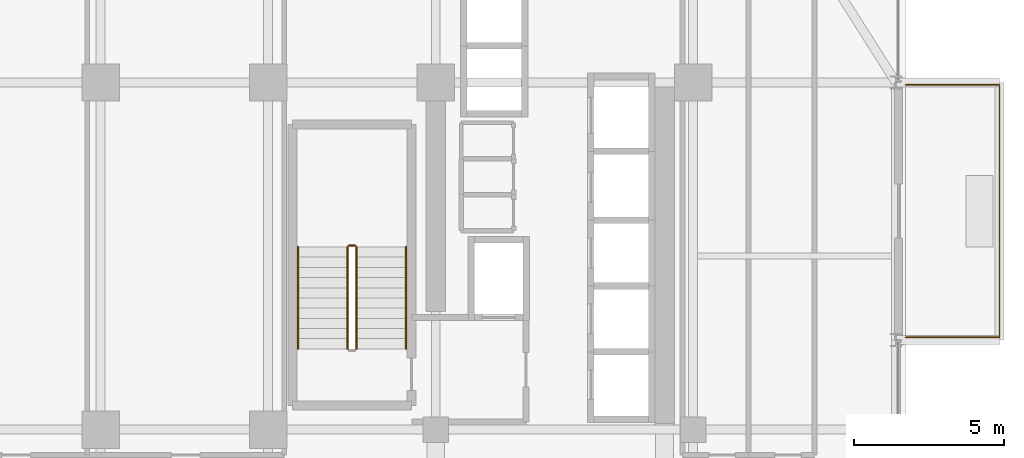
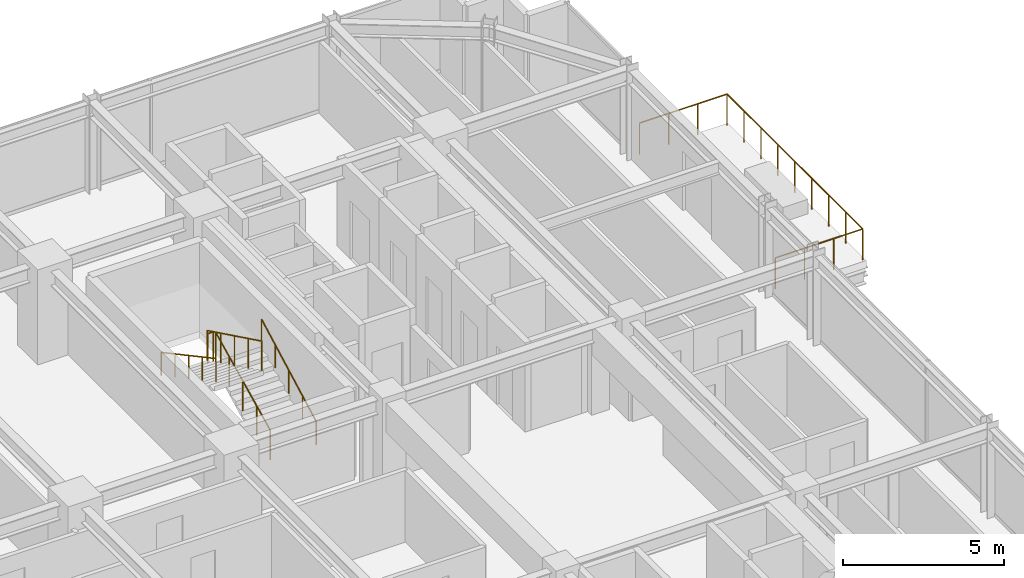
# One storey, part 32 of 33: 6 railings.
"""IFC4 building model written with IfcOpenShell, lengths in metres."""

from ifc_helpers import new_model, si_unit, direction, frame, origin, origin_2d, place, context, subcontext, project, spatial, circle, extrude, material, type_object, element, save


model = new_model("IFC4")

# Units and contexts
model_context = context("Model", 3, precision=1e-05, world=origin(), true_north=direction((0.0, 1.0)))
body_context = subcontext(model_context, "Body", "Model", "MODEL_VIEW")
ifc_project = project(units=[si_unit("LENGTHUNIT", "METRE"), si_unit("AREAUNIT", "SQUARE_METRE"), si_unit("VOLUMEUNIT", "CUBIC_METRE"), si_unit("PLANEANGLEUNIT", "RADIAN"), si_unit("MASSUNIT", "GRAM", prefix="KILO")], contexts=[model_context])

# Site, building, storey
site_placement = place(None, origin())
site = spatial("IfcSite", under=ifc_project, at=site_placement, CompositionType="ELEMENT")
building_placement = place(site_placement, origin())
building = spatial("IfcBuilding", under=site, at=building_placement, Name="Nahalor Promenade Grand Hotel", CompositionType="ELEMENT")
storey_placement = place(building_placement, frame((0.0, 0.0, 132.10009765625)))
storey = spatial("IfcBuildingStorey", under=building, at=storey_placement, Name="L33", CompositionType="ELEMENT", Elevation=132.10009765625)

# Railings
ifc_material_1 = material(Name="Anodised Bronze Aluminium EN AW-6063 T6", Category="aluminium")
railing_type_1 = type_object("IfcRailingType", Name="Bronze Balcony Guardrail 1200 mm", PredefinedType="GUARDRAIL", material=ifc_material_1)
railing_1_placement = place(storey_placement, frame((24.10009765625, 8.47998046875, 0.0)))
element("IfcRailing", 1, at=railing_1_placement, inside=storey, type_object=railing_type_1, Name="L33 Balcony Guardrail 2", PredefinedType="GUARDRAIL", context=body_context, shape_type="SweptSolid", body=[
    extrude(circle(Radius=0.024048, at=origin_2d()), frame((0.0, 0.0, 1.17578125), z_axis=(1.0, 0.0, 0.0), x_axis=(0.0, 1.0, 0.0)), (0.0, 0.0, 1.0), 3.137939453125),
    extrude(circle(Radius=0.024048, at=origin_2d()), frame((3.139892578125, 0.001953125, 1.17578125), z_axis=(0.0, 1.0, 0.0), x_axis=(-1.0, 0.0, 0.0)), (0.0, 0.0, 1.0), 8.43603515625),
    extrude(circle(Radius=0.024048, at=origin_2d()), frame((3.137939453125, 8.43994140625, 1.17578125), z_axis=(-1.0, 0.0, 0.0), x_axis=(0.0, -1.0, 0.0)), (0.0, 0.0, 1.0), 3.137939453125),
    extrude(circle(Radius=0.020996, at=origin_2d()), origin(), (0.0, 0.0, 1.0), 1.14990234375),
    extrude(circle(Radius=0.020996, at=origin_2d()), frame((1.046630859375, 0.0, 0.0)), (0.0, 0.0, 1.0), 1.14990234375),
    extrude(circle(Radius=0.020996, at=origin_2d()), frame((2.09326171875, 0.0, 0.0)), (0.0, 0.0, 1.0), 1.14990234375),
    extrude(circle(Radius=0.020996, at=origin_2d()), frame((3.139892578125, 0.0, 0.0)), (0.0, 0.0, 1.0), 1.14990234375),
    extrude(circle(Radius=0.020996, at=origin_2d()), frame((3.139892578125, 1.054931640625, 0.0)), (0.0, 0.0, 1.0), 1.14990234375),
    extrude(circle(Radius=0.020996, at=origin_2d()), frame((3.139892578125, 2.10986328125, 0.0)), (0.0, 0.0, 1.0), 1.14990234375),
    extrude(circle(Radius=0.020996, at=origin_2d()), frame((3.139892578125, 3.1650390625, 0.0)), (0.0, 0.0, 1.0), 1.14990234375),
    extrude(circle(Radius=0.020996, at=origin_2d()), frame((3.139892578125, 4.219970703125, 0.0)), (0.0, 0.0, 1.0), 1.14990234375),
    extrude(circle(Radius=0.020996, at=origin_2d()), frame((3.139892578125, 5.27490234375, 0.0)), (0.0, 0.0, 1.0), 1.14990234375),
    extrude(circle(Radius=0.020996, at=origin_2d()), frame((3.139892578125, 6.330078125, 0.0)), (0.0, 0.0, 1.0), 1.14990234375),
    extrude(circle(Radius=0.020996, at=origin_2d()), frame((3.139892578125, 7.385009765625, 0.0)), (0.0, 0.0, 1.0), 1.14990234375),
    extrude(circle(Radius=0.020996, at=origin_2d()), frame((3.139892578125, 8.43994140625, 0.0)), (0.0, 0.0, 1.0), 1.14990234375),
    extrude(circle(Radius=0.020996, at=origin_2d()), frame((2.09326171875, 8.43994140625, 0.0)), (0.0, 0.0, 1.0), 1.14990234375),
    extrude(circle(Radius=0.020996, at=origin_2d()), frame((1.046630859375, 8.43994140625, 0.0)), (0.0, 0.0, 1.0), 1.14990234375),
    extrude(circle(Radius=0.020996, at=origin_2d()), frame((0.0, 8.43994140625, 0.0)), (0.0, 0.0, 1.0), 1.14990234375),
])
ifc_material_2 = material(Name="Steel S355JR", Category="steel")
railing_type_2 = type_object("IfcRailingType", Name="Steel Stair Guardrail 1150 mm", PredefinedType="GUARDRAIL", material=ifc_material_2)
railing_2_placement = place(storey_placement, frame((5.75, 8.10009765625, 0.165771484375)))
element("IfcRailing", 2, at=railing_2_placement, inside=storey, type_object=railing_type_2, Name="L33 ST1 stair guard 1", PredefinedType="GUARDRAIL", context=body_context, shape_type="SweptSolid", body=[
    extrude(circle(Radius=0.024048, at=origin_2d()), frame((0.0, 0.0, 1.1259765625), z_axis=(0.0, 0.898696488221, 0.438571114028), x_axis=(-1.0, 0.0, 0.0)), (0.0, 0.0, 1.0), 3.783203125),
    extrude(circle(Radius=0.020996, at=origin_2d()), origin(), (0.0, 0.0, 1.0), 1.099853515625),
    extrude(circle(Radius=0.020996, at=origin_2d()), frame((0.0, 0.85009765625, 0.414794921875)), (0.0, 0.0, 1.0), 1.099853515625),
    extrude(circle(Radius=0.020996, at=origin_2d()), frame((0.0, 1.699951171875, 0.82958984375)), (0.0, 0.0, 1.0), 1.099853515625),
    extrude(circle(Radius=0.020996, at=origin_2d()), frame((0.0, 2.5498046875, 1.244384765625)), (0.0, 0.0, 1.0), 1.099853515625),
    extrude(circle(Radius=0.020996, at=origin_2d()), frame((0.0, 3.39990234375, 1.6591796875)), (0.0, 0.0, 1.0), 1.099853515625),
])
railing_3_placement = place(storey_placement, frame((5.699951171875, 11.550048828125, 1.824951171875)))
element("IfcRailing", 3, at=railing_3_placement, inside=storey, type_object=railing_type_2, Name="L33 ST1 stair guard 2", PredefinedType="GUARDRAIL", context=body_context, shape_type="SweptSolid", body=[
    extrude(circle(Radius=0.024048, at=origin_2d()), frame((0.0, 0.0, 1.1259765625), z_axis=(-1.0, 0.0, 0.0), x_axis=(0.0, -1.0, 0.0)), (0.0, 0.0, 1.0), 0.199951171875),
    extrude(circle(Radius=0.020996, at=origin_2d()), origin(), (0.0, 0.0, 1.0), 1.099853515625),
    extrude(circle(Radius=0.020996, at=origin_2d()), frame((-0.199951171875, 0.0, 0.0)), (0.0, 0.0, 1.0), 1.099853515625),
])
railing_4_placement = place(storey_placement, frame((5.449951171875, 11.5, 1.99072265625)))
element("IfcRailing", 4, at=railing_4_placement, inside=storey, type_object=railing_type_2, Name="L33 ST1 stair guard 3", PredefinedType="GUARDRAIL", context=body_context, shape_type="SweptSolid", body=[
    extrude(circle(Radius=0.024048, at=origin_2d()), frame((0.0, 0.0, 1.1259765625), z_axis=(0.0, -0.898696488221, 0.438571114028), x_axis=(1.0, 0.0, 0.0)), (0.0, 0.0, 1.0), 3.783203125),
    extrude(circle(Radius=0.020996, at=origin_2d()), origin(), (0.0, 0.0, 1.0), 1.099853515625),
    extrude(circle(Radius=0.020996, at=origin_2d()), frame((0.0, -0.85009765625, 0.414794921875)), (0.0, 0.0, 1.0), 1.099853515625),
    extrude(circle(Radius=0.020996, at=origin_2d()), frame((0.0, -1.699951171875, 0.82958984375)), (0.0, 0.0, 1.0), 1.099853515625),
    extrude(circle(Radius=0.020996, at=origin_2d()), frame((0.0, -2.5498046875, 1.244384765625)), (0.0, 0.0, 1.0), 1.099853515625),
    extrude(circle(Radius=0.020996, at=origin_2d()), frame((0.0, -3.39990234375, 1.6591796875)), (0.0, 0.0, 1.0), 1.099853515625),
])
railing_type_3 = type_object("IfcRailingType", Name="Steel Stair Handrail 900 mm", PredefinedType="HANDRAIL", material=ifc_material_2)
railing_5_placement = place(storey_placement, frame((7.39990234375, 8.10009765625, 0.165771484375)))
element("IfcRailing", 5, at=railing_5_placement, inside=storey, type_object=railing_type_3, Name="L33 ST1 stair handrail 1", PredefinedType="HANDRAIL", context=body_context, shape_type="SweptSolid", body=[
    extrude(circle(Radius=0.024048, at=origin_2d()), frame((0.0, 0.0, 0.8759765625), z_axis=(0.0, 0.881094038095, 0.47294111265), x_axis=(-1.0, 0.0, 0.0)), (0.0, 0.0, 1.0), 3.858642578125),
    extrude(circle(Radius=0.020996, at=origin_2d()), origin(), (0.0, 0.0, 1.0), 0.849853515625),
    extrude(circle(Radius=0.020996, at=origin_2d()), frame((0.0, 0.85009765625, 0.456298828125)), (0.0, 0.0, 1.0), 0.849853515625),
    extrude(circle(Radius=0.020996, at=origin_2d()), frame((0.0, 1.699951171875, 0.91259765625)), (0.0, 0.0, 1.0), 0.849853515625),
    extrude(circle(Radius=0.020996, at=origin_2d()), frame((0.0, 2.5498046875, 1.36865234375)), (0.0, 0.0, 1.0), 0.849853515625),
    extrude(circle(Radius=0.020996, at=origin_2d()), frame((0.0, 3.39990234375, 1.824951171875)), (0.0, 0.0, 1.0), 0.849853515625),
])
railing_6_placement = place(storey_placement, frame((3.800048828125, 11.5, 1.99072265625)))
element("IfcRailing", 6, at=railing_6_placement, inside=storey, type_object=railing_type_3, Name="L33 ST1 stair handrail 2", PredefinedType="HANDRAIL", context=body_context, shape_type="SweptSolid", body=[
    extrude(circle(Radius=0.024048, at=origin_2d()), frame((0.0, 0.0, 0.8759765625), z_axis=(0.0, -0.881067672671, 0.472990228413), x_axis=(1.0, 0.0, 0.0)), (0.0, 0.0, 1.0), 3.85888671875),
    extrude(circle(Radius=0.020996, at=origin_2d()), origin(), (0.0, 0.0, 1.0), 0.849853515625),
    extrude(circle(Radius=0.020996, at=origin_2d()), frame((0.0, -0.85009765625, 0.456298828125)), (0.0, 0.0, 1.0), 0.849853515625),
    extrude(circle(Radius=0.020996, at=origin_2d()), frame((0.0, -1.699951171875, 0.91259765625)), (0.0, 0.0, 1.0), 0.849853515625),
    extrude(circle(Radius=0.020996, at=origin_2d()), frame((0.0, -2.5498046875, 1.368896484375)), (0.0, 0.0, 1.0), 0.849853515625),
    extrude(circle(Radius=0.020996, at=origin_2d()), frame((0.0, -3.39990234375, 1.8251953125)), (0.0, 0.0, 1.0), 0.849853515625),
])

save(model, "model.ifc")
